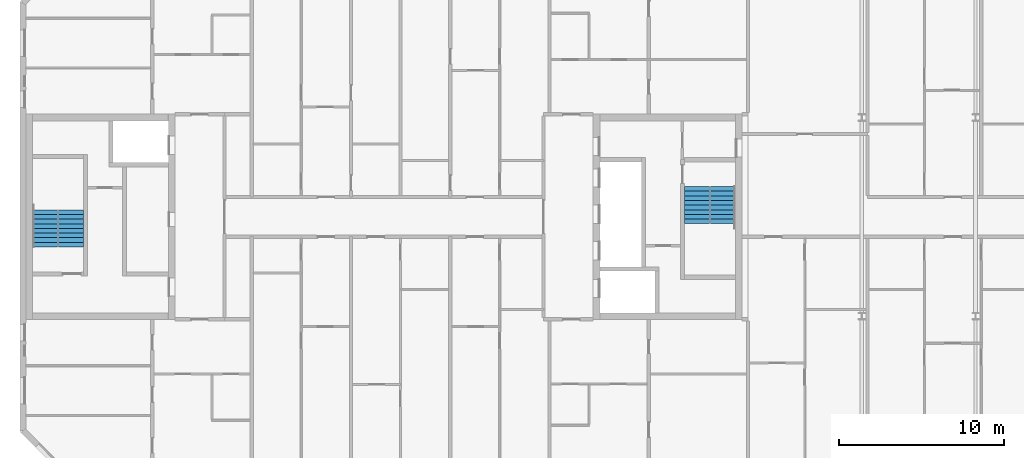
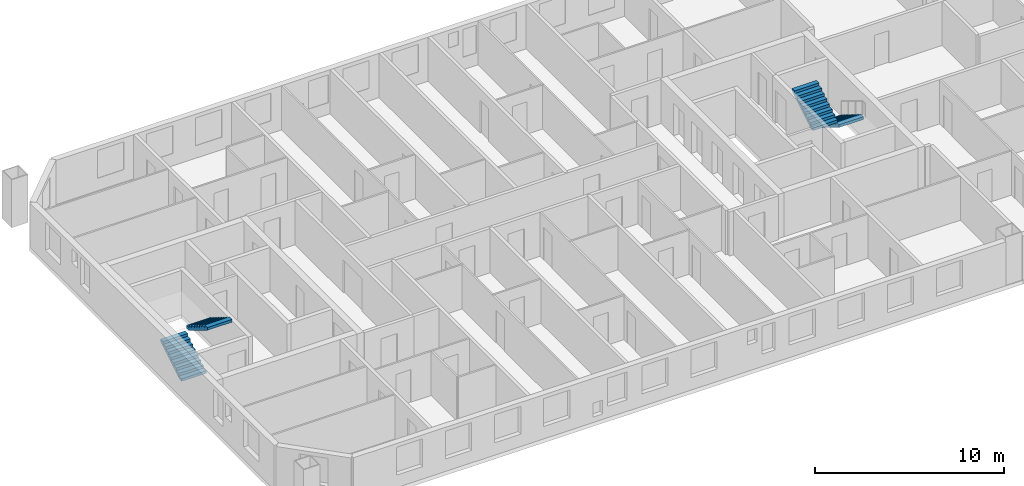
# One storey, part 18 of 19: 4 stair flights, 2 elements without a shape of their own.
"""IFC4 building model written with IfcOpenShell, lengths in metres."""

from ifc_helpers import new_model, si_unit, direction, frame, origin, place, context, subcontext, project, spatial, faceted_brep, material, type_object, element, aggregate, save


model = new_model("IFC4")

# Units and contexts
model_context = context("Model", 3, precision=1e-05, world=origin(), true_north=direction((0.0, 1.0)))
body_context = subcontext(model_context, "Body", "Model", "MODEL_VIEW")
ifc_project = project(units=[si_unit("LENGTHUNIT", "METRE"), si_unit("AREAUNIT", "SQUARE_METRE"), si_unit("VOLUMEUNIT", "CUBIC_METRE"), si_unit("PLANEANGLEUNIT", "RADIAN"), si_unit("MASSUNIT", "GRAM", prefix="KILO")], contexts=[model_context])

# Site, building, storey
site_placement = place(None, origin())
site = spatial("IfcSite", under=ifc_project, at=site_placement, CompositionType="ELEMENT")
building_placement = place(site_placement, origin())
building = spatial("IfcBuilding", under=site, at=building_placement, Name="Tuart Gate Housing", CompositionType="ELEMENT")
storey_placement = place(building_placement, frame((0.0, 0.0, 227.60009765625)))
storey = spatial("IfcBuildingStorey", under=building, at=storey_placement, Name="L64", CompositionType="ELEMENT", Elevation=227.60009765625)

# Stair, stair flights
ifc_material_1 = material(Name="Concrete C40", Category="concrete")
stair_type = type_object("IfcStairType", Name="Core stair 1500", PredefinedType="HALF_TURN_STAIR", material=ifc_material_1)
stair_1_placement = place(storey_placement, origin())
stair_1 = element("IfcStair", 1, at=stair_1_placement, inside=storey, type_object=stair_type, Name="Stair SA1", PredefinedType="HALF_TURN_STAIR")
ifc_material_2 = material(Name="Concrete C40", Category="concrete")
stair_flight_type = type_object("IfcStairFlightType", Name="Stair flight 1500, 9 risers 172 x 280", PredefinedType="STRAIGHT", material=ifc_material_2)
stair_flight_1_placement = place(storey_placement, frame((74.489990234375, 71.824951171875, 0.0), z_axis=(0.0, 0.0, 1.0), x_axis=(0.0, -1.0, 0.0)))
stair_flight_1 = element("IfcStairFlight", 2, at=stair_flight_1_placement, type_object=stair_flight_type, Name="SA1 flight 1", NumberOfRisers=9, NumberOfTreads=8, PredefinedType="STRAIGHT", RiserHeight=0.172222222, TreadLength=0.28, context=body_context, shape_type="Brep", body=[
    faceted_brep([(0.0, 0.75, 0.0), (0.0, 0.75, 0.172119140625), (0.280029296875, 0.75, 0.172119140625), (0.280029296875, 0.75, 0.344482421875), (0.56005859375, 0.75, 0.344482421875), (0.56005859375, 0.75, 0.5166015625), (0.840087890625, 0.75, 0.5166015625), (0.840087890625, 0.75, 0.68896484375), (1.1201171875, 0.75, 0.68896484375), (1.1201171875, 0.75, 0.861083984375), (1.39990234375, 0.75, 0.861083984375), (1.39990234375, 0.75, 1.033447265625), (1.679931640625, 0.75, 1.033447265625), (1.679931640625, 0.75, 1.20556640625), (1.9599609375, 0.75, 1.20556640625), (1.9599609375, 0.75, 1.377685546875), (2.239990234375, 0.75, 1.377685546875), (2.239990234375, 0.75, 1.201904296875), (0.2861328125, 0.75, 0.0), (0.2861328125, -0.75, 0.0), (2.239990234375, -0.75, 1.201904296875), (2.239990234375, -0.75, 1.377685546875), (1.9599609375, -0.75, 1.377685546875), (1.9599609375, -0.75, 1.20556640625), (1.679931640625, -0.75, 1.20556640625), (1.679931640625, -0.75, 1.033447265625), (1.39990234375, -0.75, 1.033447265625), (1.39990234375, -0.75, 0.861083984375), (1.1201171875, -0.75, 0.861083984375), (1.1201171875, -0.75, 0.68896484375), (0.840087890625, -0.75, 0.68896484375), (0.840087890625, -0.75, 0.5166015625), (0.56005859375, -0.75, 0.5166015625), (0.56005859375, -0.75, 0.344482421875), (0.280029296875, -0.75, 0.344482421875), (0.280029296875, -0.75, 0.172119140625), (0.0, -0.75, 0.172119140625), (0.0, -0.75, 0.0), (2.239990234375, 0.0, 1.201904296875), (0.2861328125, 0.0, 0.0), (2.239990234375, 0.0, 1.377685546875), (1.9599609375, 0.0, 1.377685546875), (1.9599609375, 0.0, 1.20556640625), (1.679931640625, 0.0, 1.20556640625), (1.679931640625, 0.0, 1.033447265625), (1.39990234375, 0.0, 1.033447265625), (1.39990234375, 0.0, 0.861083984375), (1.1201171875, 0.0, 0.861083984375), (1.1201171875, 0.0, 0.68896484375), (0.840087890625, 0.0, 0.68896484375), (0.840087890625, 0.0, 0.5166015625), (0.56005859375, 0.0, 0.5166015625), (0.56005859375, 0.0, 0.344482421875), (0.280029296875, 0.0, 0.344482421875), (0.280029296875, 0.0, 0.172119140625), (0.0, 0.0, 0.172119140625), (0.0, 0.0, 0.0)], [[[0, 1, 2, 3, 4, 5, 6, 7, 8, 9, 10, 11, 12, 13, 14, 15, 16, 17, 18]], [[19, 20, 21, 22, 23, 24, 25, 26, 27, 28, 29, 30, 31, 32, 33, 34, 35, 36, 37]], [[18, 17, 38, 39]], [[39, 38, 20, 19]], [[17, 16, 40, 38]], [[38, 40, 21, 20]], [[16, 15, 41, 40]], [[40, 41, 22, 21]], [[15, 14, 42, 41]], [[41, 42, 23, 22]], [[14, 13, 43, 42]], [[42, 43, 24, 23]], [[13, 12, 44, 43]], [[43, 44, 25, 24]], [[12, 11, 45, 44]], [[44, 45, 26, 25]], [[11, 10, 46, 45]], [[45, 46, 27, 26]], [[10, 9, 47, 46]], [[46, 47, 28, 27]], [[9, 8, 48, 47]], [[47, 48, 29, 28]], [[8, 7, 49, 48]], [[48, 49, 30, 29]], [[7, 6, 50, 49]], [[49, 50, 31, 30]], [[6, 5, 51, 50]], [[50, 51, 32, 31]], [[5, 4, 52, 51]], [[51, 52, 33, 32]], [[4, 3, 53, 52]], [[52, 53, 34, 33]], [[3, 2, 54, 53]], [[53, 54, 35, 34]], [[2, 1, 55, 54]], [[54, 55, 36, 35]], [[1, 0, 56, 55]], [[55, 56, 37, 36]], [[0, 18, 39, 56]], [[56, 39, 19, 37]]]),
])
stair_flight_2_placement = place(storey_placement, frame((72.9150390625, 69.5849609375, 1.5498046875), z_axis=(0.0, 0.0, 1.0), x_axis=(0.0, 1.0, 0.0)))
stair_flight_2 = element("IfcStairFlight", 3, at=stair_flight_2_placement, type_object=stair_flight_type, Name="SA1 flight 2", NumberOfRisers=9, NumberOfTreads=8, PredefinedType="STRAIGHT", RiserHeight=0.172222222, TreadLength=0.28, context=body_context, shape_type="Brep", body=[
    faceted_brep([(0.0, 0.75, 0.0), (0.0, 0.75, 0.172119140625), (0.280029296875, 0.75, 0.172119140625), (0.280029296875, 0.75, 0.344482421875), (0.56005859375, 0.75, 0.344482421875), (0.56005859375, 0.75, 0.5166015625), (0.840087890625, 0.75, 0.5166015625), (0.840087890625, 0.75, 0.68896484375), (1.1201171875, 0.75, 0.68896484375), (1.1201171875, 0.75, 0.861083984375), (1.39990234375, 0.75, 0.861083984375), (1.39990234375, 0.75, 1.033447265625), (1.679931640625, 0.75, 1.033447265625), (1.679931640625, 0.75, 1.20556640625), (1.9599609375, 0.75, 1.20556640625), (1.9599609375, 0.75, 1.377685546875), (2.239990234375, 0.75, 1.377685546875), (2.239990234375, 0.75, 1.201904296875), (0.2861328125, 0.75, 0.0), (0.2861328125, -0.75, 0.0), (2.239990234375, -0.75, 1.201904296875), (2.239990234375, -0.75, 1.377685546875), (1.9599609375, -0.75, 1.377685546875), (1.9599609375, -0.75, 1.20556640625), (1.679931640625, -0.75, 1.20556640625), (1.679931640625, -0.75, 1.033447265625), (1.39990234375, -0.75, 1.033447265625), (1.39990234375, -0.75, 0.861083984375), (1.1201171875, -0.75, 0.861083984375), (1.1201171875, -0.75, 0.68896484375), (0.840087890625, -0.75, 0.68896484375), (0.840087890625, -0.75, 0.5166015625), (0.56005859375, -0.75, 0.5166015625), (0.56005859375, -0.75, 0.344482421875), (0.280029296875, -0.75, 0.344482421875), (0.280029296875, -0.75, 0.172119140625), (0.0, -0.75, 0.172119140625), (0.0, -0.75, 0.0), (2.239990234375, 0.0, 1.201904296875), (0.2861328125, 0.0, 0.0), (2.239990234375, 0.0, 1.377685546875), (1.9599609375, 0.0, 1.377685546875), (1.9599609375, 0.0, 1.20556640625), (1.679931640625, 0.0, 1.20556640625), (1.679931640625, 0.0, 1.033447265625), (1.39990234375, 0.0, 1.033447265625), (1.39990234375, 0.0, 0.861083984375), (1.1201171875, 0.0, 0.861083984375), (1.1201171875, 0.0, 0.68896484375), (0.840087890625, 0.0, 0.68896484375), (0.840087890625, 0.0, 0.5166015625), (0.56005859375, 0.0, 0.5166015625), (0.56005859375, 0.0, 0.344482421875), (0.280029296875, 0.0, 0.344482421875), (0.280029296875, 0.0, 0.172119140625), (0.0, 0.0, 0.172119140625), (0.0, 0.0, 0.0)], [[[0, 1, 2, 3, 4, 5, 6, 7, 8, 9, 10, 11, 12, 13, 14, 15, 16, 17, 18]], [[19, 20, 21, 22, 23, 24, 25, 26, 27, 28, 29, 30, 31, 32, 33, 34, 35, 36, 37]], [[18, 17, 38, 39]], [[39, 38, 20, 19]], [[17, 16, 40, 38]], [[38, 40, 21, 20]], [[16, 15, 41, 40]], [[40, 41, 22, 21]], [[15, 14, 42, 41]], [[41, 42, 23, 22]], [[14, 13, 43, 42]], [[42, 43, 24, 23]], [[13, 12, 44, 43]], [[43, 44, 25, 24]], [[12, 11, 45, 44]], [[44, 45, 26, 25]], [[11, 10, 46, 45]], [[45, 46, 27, 26]], [[10, 9, 47, 46]], [[46, 47, 28, 27]], [[9, 8, 48, 47]], [[47, 48, 29, 28]], [[8, 7, 49, 48]], [[48, 49, 30, 29]], [[7, 6, 50, 49]], [[49, 50, 31, 30]], [[6, 5, 51, 50]], [[50, 51, 32, 31]], [[5, 4, 52, 51]], [[51, 52, 33, 32]], [[4, 3, 53, 52]], [[52, 53, 34, 33]], [[3, 2, 54, 53]], [[53, 54, 35, 34]], [[2, 1, 55, 54]], [[54, 55, 36, 35]], [[1, 0, 56, 55]], [[55, 56, 37, 36]], [[0, 18, 39, 56]], [[56, 39, 19, 37]]]),
])
aggregate(stair_1, [stair_flight_1, stair_flight_2])

stair_2_placement = place(storey_placement, origin())
stair_2 = element("IfcStair", 4, at=stair_2_placement, inside=storey, type_object=stair_type, Name="Stair SA2", PredefinedType="HALF_TURN_STAIR")
stair_flight_3_placement = place(storey_placement, frame((33.510009765625, 68.175048828125, 0.0), z_axis=(0.0, 0.0, 1.0), x_axis=(0.0, 1.0, 0.0)))
stair_flight_3 = element("IfcStairFlight", 5, at=stair_flight_3_placement, type_object=stair_flight_type, Name="SA2 flight 1", NumberOfRisers=9, NumberOfTreads=8, PredefinedType="STRAIGHT", RiserHeight=0.172222222, TreadLength=0.28, context=body_context, shape_type="Brep", body=[
    faceted_brep([(0.0, 0.75, 0.0), (0.0, 0.75, 0.172119140625), (0.280029296875, 0.75, 0.172119140625), (0.280029296875, 0.75, 0.344482421875), (0.56005859375, 0.75, 0.344482421875), (0.56005859375, 0.75, 0.5166015625), (0.840087890625, 0.75, 0.5166015625), (0.840087890625, 0.75, 0.68896484375), (1.1201171875, 0.75, 0.68896484375), (1.1201171875, 0.75, 0.861083984375), (1.39990234375, 0.75, 0.861083984375), (1.39990234375, 0.75, 1.033447265625), (1.679931640625, 0.75, 1.033447265625), (1.679931640625, 0.75, 1.20556640625), (1.9599609375, 0.75, 1.20556640625), (1.9599609375, 0.75, 1.377685546875), (2.239990234375, 0.75, 1.377685546875), (2.239990234375, 0.75, 1.201904296875), (0.2861328125, 0.75, 0.0), (0.2861328125, -0.75, 0.0), (2.239990234375, -0.75, 1.201904296875), (2.239990234375, -0.75, 1.377685546875), (1.9599609375, -0.75, 1.377685546875), (1.9599609375, -0.75, 1.20556640625), (1.679931640625, -0.75, 1.20556640625), (1.679931640625, -0.75, 1.033447265625), (1.39990234375, -0.75, 1.033447265625), (1.39990234375, -0.75, 0.861083984375), (1.1201171875, -0.75, 0.861083984375), (1.1201171875, -0.75, 0.68896484375), (0.840087890625, -0.75, 0.68896484375), (0.840087890625, -0.75, 0.5166015625), (0.56005859375, -0.75, 0.5166015625), (0.56005859375, -0.75, 0.344482421875), (0.280029296875, -0.75, 0.344482421875), (0.280029296875, -0.75, 0.172119140625), (0.0, -0.75, 0.172119140625), (0.0, -0.75, 0.0), (2.239990234375, 0.0, 1.201904296875), (0.2861328125, 0.0, 0.0), (2.239990234375, 0.0, 1.377685546875), (1.9599609375, 0.0, 1.377685546875), (1.9599609375, 0.0, 1.20556640625), (1.679931640625, 0.0, 1.20556640625), (1.679931640625, 0.0, 1.033447265625), (1.39990234375, 0.0, 1.033447265625), (1.39990234375, 0.0, 0.861083984375), (1.1201171875, 0.0, 0.861083984375), (1.1201171875, 0.0, 0.68896484375), (0.840087890625, 0.0, 0.68896484375), (0.840087890625, 0.0, 0.5166015625), (0.56005859375, 0.0, 0.5166015625), (0.56005859375, 0.0, 0.344482421875), (0.280029296875, 0.0, 0.344482421875), (0.280029296875, 0.0, 0.172119140625), (0.0, 0.0, 0.172119140625), (0.0, 0.0, 0.0)], [[[0, 1, 2, 3, 4, 5, 6, 7, 8, 9, 10, 11, 12, 13, 14, 15, 16, 17, 18]], [[19, 20, 21, 22, 23, 24, 25, 26, 27, 28, 29, 30, 31, 32, 33, 34, 35, 36, 37]], [[18, 17, 38, 39]], [[39, 38, 20, 19]], [[17, 16, 40, 38]], [[38, 40, 21, 20]], [[16, 15, 41, 40]], [[40, 41, 22, 21]], [[15, 14, 42, 41]], [[41, 42, 23, 22]], [[14, 13, 43, 42]], [[42, 43, 24, 23]], [[13, 12, 44, 43]], [[43, 44, 25, 24]], [[12, 11, 45, 44]], [[44, 45, 26, 25]], [[11, 10, 46, 45]], [[45, 46, 27, 26]], [[10, 9, 47, 46]], [[46, 47, 28, 27]], [[9, 8, 48, 47]], [[47, 48, 29, 28]], [[8, 7, 49, 48]], [[48, 49, 30, 29]], [[7, 6, 50, 49]], [[49, 50, 31, 30]], [[6, 5, 51, 50]], [[50, 51, 32, 31]], [[5, 4, 52, 51]], [[51, 52, 33, 32]], [[4, 3, 53, 52]], [[52, 53, 34, 33]], [[3, 2, 54, 53]], [[53, 54, 35, 34]], [[2, 1, 55, 54]], [[54, 55, 36, 35]], [[1, 0, 56, 55]], [[55, 56, 37, 36]], [[0, 18, 39, 56]], [[56, 39, 19, 37]]]),
])
stair_flight_4_placement = place(storey_placement, frame((35.0849609375, 70.4150390625, 1.5498046875), z_axis=(0.0, 0.0, 1.0), x_axis=(0.0, -1.0, 0.0)))
stair_flight_4 = element("IfcStairFlight", 6, at=stair_flight_4_placement, type_object=stair_flight_type, Name="SA2 flight 2", NumberOfRisers=9, NumberOfTreads=8, PredefinedType="STRAIGHT", RiserHeight=0.172222222, TreadLength=0.28, context=body_context, shape_type="Brep", body=[
    faceted_brep([(0.0, 0.75, 0.0), (0.0, 0.75, 0.172119140625), (0.280029296875, 0.75, 0.172119140625), (0.280029296875, 0.75, 0.344482421875), (0.56005859375, 0.75, 0.344482421875), (0.56005859375, 0.75, 0.5166015625), (0.840087890625, 0.75, 0.5166015625), (0.840087890625, 0.75, 0.68896484375), (1.1201171875, 0.75, 0.68896484375), (1.1201171875, 0.75, 0.861083984375), (1.39990234375, 0.75, 0.861083984375), (1.39990234375, 0.75, 1.033447265625), (1.679931640625, 0.75, 1.033447265625), (1.679931640625, 0.75, 1.20556640625), (1.9599609375, 0.75, 1.20556640625), (1.9599609375, 0.75, 1.377685546875), (2.239990234375, 0.75, 1.377685546875), (2.239990234375, 0.75, 1.201904296875), (0.2861328125, 0.75, 0.0), (0.2861328125, -0.75, 0.0), (2.239990234375, -0.75, 1.201904296875), (2.239990234375, -0.75, 1.377685546875), (1.9599609375, -0.75, 1.377685546875), (1.9599609375, -0.75, 1.20556640625), (1.679931640625, -0.75, 1.20556640625), (1.679931640625, -0.75, 1.033447265625), (1.39990234375, -0.75, 1.033447265625), (1.39990234375, -0.75, 0.861083984375), (1.1201171875, -0.75, 0.861083984375), (1.1201171875, -0.75, 0.68896484375), (0.840087890625, -0.75, 0.68896484375), (0.840087890625, -0.75, 0.5166015625), (0.56005859375, -0.75, 0.5166015625), (0.56005859375, -0.75, 0.344482421875), (0.280029296875, -0.75, 0.344482421875), (0.280029296875, -0.75, 0.172119140625), (0.0, -0.75, 0.172119140625), (0.0, -0.75, 0.0), (2.239990234375, 0.0, 1.201904296875), (0.2861328125, 0.0, 0.0), (2.239990234375, 0.0, 1.377685546875), (1.9599609375, 0.0, 1.377685546875), (1.9599609375, 0.0, 1.20556640625), (1.679931640625, 0.0, 1.20556640625), (1.679931640625, 0.0, 1.033447265625), (1.39990234375, 0.0, 1.033447265625), (1.39990234375, 0.0, 0.861083984375), (1.1201171875, 0.0, 0.861083984375), (1.1201171875, 0.0, 0.68896484375), (0.840087890625, 0.0, 0.68896484375), (0.840087890625, 0.0, 0.5166015625), (0.56005859375, 0.0, 0.5166015625), (0.56005859375, 0.0, 0.344482421875), (0.280029296875, 0.0, 0.344482421875), (0.280029296875, 0.0, 0.172119140625), (0.0, 0.0, 0.172119140625), (0.0, 0.0, 0.0)], [[[0, 1, 2, 3, 4, 5, 6, 7, 8, 9, 10, 11, 12, 13, 14, 15, 16, 17, 18]], [[19, 20, 21, 22, 23, 24, 25, 26, 27, 28, 29, 30, 31, 32, 33, 34, 35, 36, 37]], [[18, 17, 38, 39]], [[39, 38, 20, 19]], [[17, 16, 40, 38]], [[38, 40, 21, 20]], [[16, 15, 41, 40]], [[40, 41, 22, 21]], [[15, 14, 42, 41]], [[41, 42, 23, 22]], [[14, 13, 43, 42]], [[42, 43, 24, 23]], [[13, 12, 44, 43]], [[43, 44, 25, 24]], [[12, 11, 45, 44]], [[44, 45, 26, 25]], [[11, 10, 46, 45]], [[45, 46, 27, 26]], [[10, 9, 47, 46]], [[46, 47, 28, 27]], [[9, 8, 48, 47]], [[47, 48, 29, 28]], [[8, 7, 49, 48]], [[48, 49, 30, 29]], [[7, 6, 50, 49]], [[49, 50, 31, 30]], [[6, 5, 51, 50]], [[50, 51, 32, 31]], [[5, 4, 52, 51]], [[51, 52, 33, 32]], [[4, 3, 53, 52]], [[52, 53, 34, 33]], [[3, 2, 54, 53]], [[53, 54, 35, 34]], [[2, 1, 55, 54]], [[54, 55, 36, 35]], [[1, 0, 56, 55]], [[55, 56, 37, 36]], [[0, 18, 39, 56]], [[56, 39, 19, 37]]]),
])
aggregate(stair_2, [stair_flight_3, stair_flight_4])

save(model, "model.ifc")
